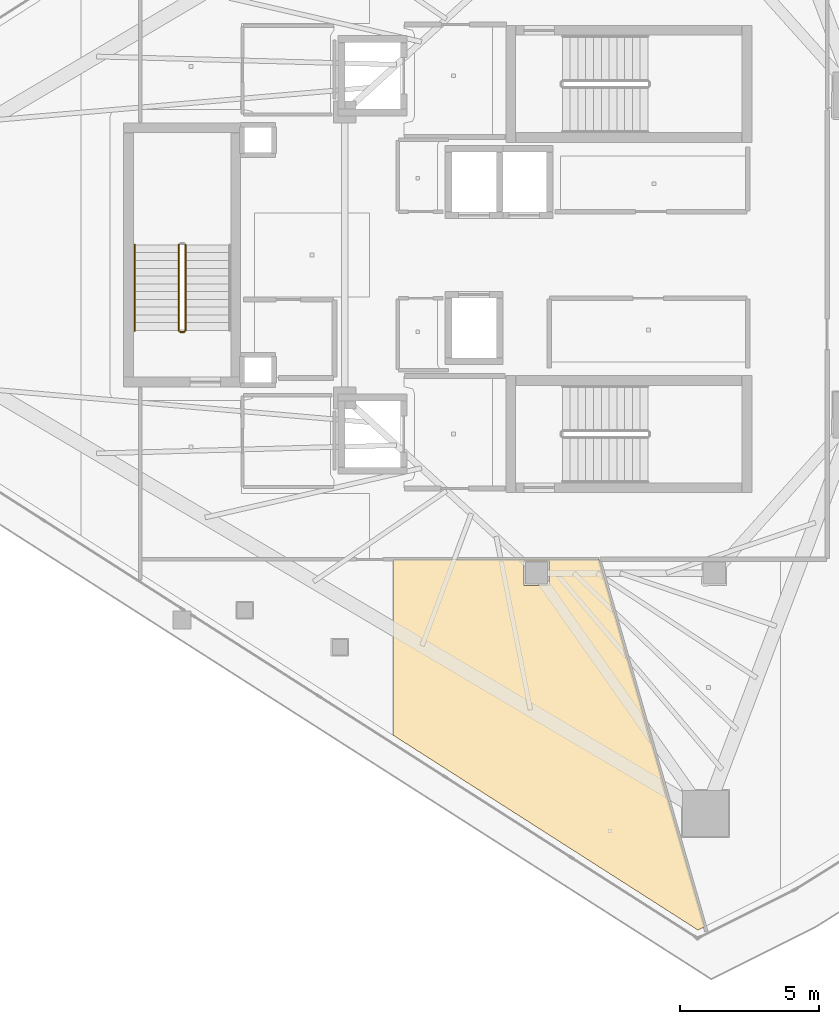
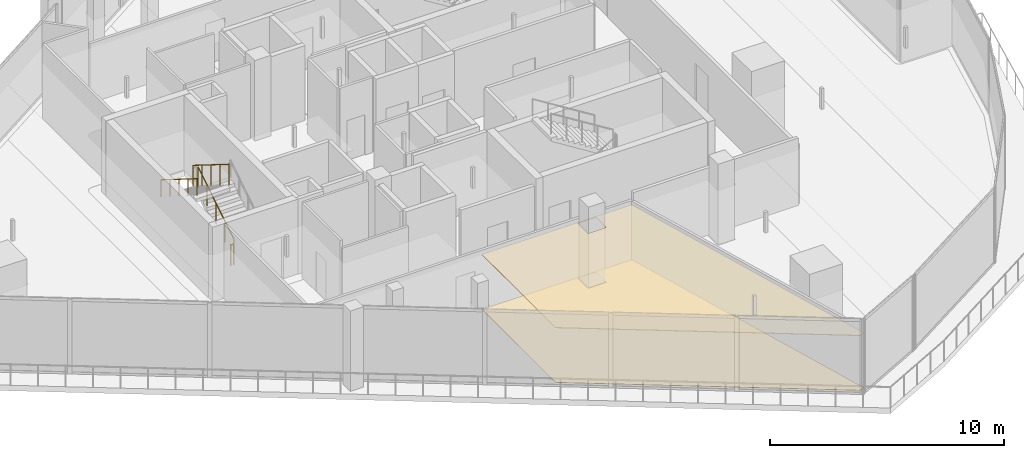
# One storey, part 26 of 31: 4 railings, 2 coverings.
"""IFC4 building model written with IfcOpenShell, lengths in metres."""

from ifc_helpers import new_model, si_unit, direction, frame, origin, origin_2d, place, context, subcontext, project, spatial, polyline, circle, outline, extrude, material, layer, layer_set, type_object, element, save


model = new_model("IFC4")

# Units and contexts
model_context = context("Model", 3, precision=1e-05, world=origin(), true_north=direction((0.0, 1.0)))
body_context = subcontext(model_context, "Body", "Model", "MODEL_VIEW")
ifc_project = project(units=[si_unit("LENGTHUNIT", "METRE"), si_unit("AREAUNIT", "SQUARE_METRE"), si_unit("VOLUMEUNIT", "CUBIC_METRE"), si_unit("PLANEANGLEUNIT", "RADIAN"), si_unit("MASSUNIT", "GRAM", prefix="KILO")], contexts=[model_context])

# Site, building, storey
site_placement = place(None, origin())
site = spatial("IfcSite", under=ifc_project, at=site_placement, CompositionType="ELEMENT")
building_placement = place(site_placement, origin())
building = spatial("IfcBuilding", under=site, at=building_placement, Name="Qorvath Tower", CompositionType="ELEMENT")
storey_placement = place(building_placement, frame((0.0, 0.0, 264.0)))
storey = spatial("IfcBuildingStorey", under=building, at=storey_placement, Name="L61", CompositionType="ELEMENT", Elevation=264.0)

# Coverings
ifc_material_1 = material(Name="Acoustic mineral fibre ceiling tile", Category="gypsum")
ifc_layer_1 = layer(ifc_material_1, 0.030029296875)
ifc_layer_set_1 = layer_set([ifc_layer_1], Name="COV-CEIL")
covering_type_1 = type_object("IfcCoveringType", Name="COV-CEIL", PredefinedType="CEILING", material=ifc_layer_set_1)
covering_1_placement = place(storey_placement, frame((0.0, 0.0, 2.85009765625)))
element("IfcCovering", 1, at=covering_1_placement, inside=storey, type_object=covering_type_1, Name="L61 Suspended Acoustic Ceiling 015", PredefinedType="CEILING", context=body_context, shape_type="SweptSolid", body=[
    extrude(outline(polyline([(-28.768310546875, -10.96240234375), (-28.768310546875, -17.281494140625), (-17.787109375, -24.300048828125), (-17.544189453125, -24.1787109375), (-21.348876953125, -10.962890625), (-28.768310546875, -10.96240234375)]), holes=[polyline([(-24.04248046875, -11.892333984375), (-24.04248046875, -11.007568359375), (-23.157470703125, -11.007568359375), (-23.157470703125, -11.892333984375), (-24.04248046875, -11.892333984375)])]), origin(), (0.0, 0.0, 1.0), 0.030029296875),
])
ifc_material_2 = material(Name="Low-VOC modular carpet tile", Category="textile")
ifc_layer_2 = layer(ifc_material_2, 0.014892578125)
ifc_layer_set_2 = layer_set([ifc_layer_2], Name="COV-FLOOR-CPT")
covering_type_2 = type_object("IfcCoveringType", Name="COV-FLOOR-CPT", PredefinedType="FLOORING", material=ifc_layer_set_2)
covering_2_placement = place(storey_placement, origin())
element("IfcCovering", 2, at=covering_2_placement, inside=storey, type_object=covering_type_2, Name="L61 Floor Finish 015", PredefinedType="FLOORING", context=body_context, shape_type="SweptSolid", body=[
    extrude(outline(polyline([(-28.768310546875, -10.96240234375), (-28.768310546875, -17.281494140625), (-17.787109375, -24.300048828125), (-17.544189453125, -24.1787109375), (-21.348876953125, -10.962890625), (-28.768310546875, -10.96240234375)]), holes=[polyline([(-24.04248046875, -11.892333984375), (-24.04248046875, -11.007568359375), (-23.157470703125, -11.007568359375), (-23.157470703125, -11.892333984375), (-24.04248046875, -11.892333984375)])]), origin(), (0.0, 0.0, 1.0), 0.014892578125),
])

# Railings
ifc_material_3 = material(Name="Painted galvanised steel", Category="steel")
railing_type_1 = type_object("IfcRailingType", Name="RL-STR-GRD", PredefinedType="GUARDRAIL", material=ifc_material_3)
railing_1_placement = place(storey_placement, frame((-36.22998046875, -2.719970703125, 0.175048828125)))
element("IfcRailing", 3, at=railing_1_placement, inside=storey, type_object=railing_type_1, Name="L61 TS3 stair guard 1", PredefinedType="GUARDRAIL", context=body_context, shape_type="SweptSolid", body=[
    extrude(circle(Radius=0.02392578125, at=origin_2d()), frame((0.0, 0.0, 1.076171875), z_axis=(0.0, 0.847998304005, 0.529998940003), x_axis=(-1.0, 0.0, 0.0)), (0.0, 0.0, 1.0), 3.632080078125),
    extrude(circle(Radius=0.02099609375, at=origin_2d()), origin(), (0.0, 0.0, 1.0), 1.052001953125),
    extrude(circle(Radius=0.02099609375, at=origin_2d()), frame((0.0, 0.77001953125, 0.481201171875)), (0.0, 0.0, 1.0), 1.052001953125),
    extrude(circle(Radius=0.02099609375, at=origin_2d()), frame((0.0, 1.5400390625, 0.96240234375)), (0.0, 0.0, 1.0), 1.052001953125),
    extrude(circle(Radius=0.02099609375, at=origin_2d()), frame((0.0, 2.31005859375, 1.44384765625)), (0.0, 0.0, 1.0), 1.052001953125),
    extrude(circle(Radius=0.02099609375, at=origin_2d()), frame((0.0, 3.080078125, 1.925048828125)), (0.0, 0.0, 1.0), 1.052001953125),
])
railing_2_placement = place(storey_placement, frame((-36.47998046875, 0.360107421875, 2.27490234375)))
element("IfcRailing", 4, at=railing_2_placement, inside=storey, type_object=railing_type_1, Name="L61 TS3 stair guard 3", PredefinedType="GUARDRAIL", context=body_context, shape_type="SweptSolid", body=[
    extrude(circle(Radius=0.02392578125, at=origin_2d()), frame((0.0, 0.0, 1.076171875), z_axis=(0.0, -0.847998304005, 0.529998940003), x_axis=(1.0, 0.0, 0.0)), (0.0, 0.0, 1.0), 3.632080078125),
    extrude(circle(Radius=0.02099609375, at=origin_2d()), origin(), (0.0, 0.0, 1.0), 1.052001953125),
    extrude(circle(Radius=0.02099609375, at=origin_2d()), frame((0.0, -0.77001953125, 0.481201171875)), (0.0, 0.0, 1.0), 1.052001953125),
    extrude(circle(Radius=0.02099609375, at=origin_2d()), frame((0.0, -1.5400390625, 0.96240234375)), (0.0, 0.0, 1.0), 1.052001953125),
    extrude(circle(Radius=0.02099609375, at=origin_2d()), frame((0.0, -2.31005859375, 1.44384765625)), (0.0, 0.0, 1.0), 1.052001953125),
    extrude(circle(Radius=0.02099609375, at=origin_2d()), frame((0.0, -3.080078125, 1.925048828125)), (0.0, 0.0, 1.0), 1.052001953125),
])
railing_3_placement = place(storey_placement, frame((-36.280029296875, -2.77001953125, 0.0)))
element("IfcRailing", 5, at=railing_3_placement, inside=storey, type_object=railing_type_1, Name="L61 TS3 stair guard 4", PredefinedType="GUARDRAIL", context=body_context, shape_type="SweptSolid", body=[
    extrude(circle(Radius=0.02392578125, at=origin_2d()), frame((0.0, 0.0, 1.076171875), z_axis=(-1.0, 0.0, 0.0), x_axis=(0.0, -1.0, 0.0)), (0.0, 0.0, 1.0), 0.14990234375),
    extrude(circle(Radius=0.02099609375, at=origin_2d()), origin(), (0.0, 0.0, 1.0), 1.052001953125),
    extrude(circle(Radius=0.02099609375, at=origin_2d()), frame((-0.14990234375, 0.0, 0.0)), (0.0, 0.0, 1.0), 1.052001953125),
])
ifc_material_4 = material(Name="Brushed stainless steel AISI 304", Category="steel")
railing_type_2 = type_object("IfcRailingType", Name="RL-STR-HND", PredefinedType="HANDRAIL", material=ifc_material_4)
railing_4_placement = place(storey_placement, frame((-38.06005859375, 0.360107421875, 2.27490234375)))
element("IfcRailing", 6, at=railing_4_placement, inside=storey, type_object=railing_type_2, Name="L61 TS3 stair handrail 2", PredefinedType="HANDRAIL", context=body_context, shape_type="SweptSolid", body=[
    extrude(circle(Radius=0.02392578125, at=origin_2d()), frame((0.0, 0.0, 0.8759765625), z_axis=(0.0, -0.847998304005, 0.529998940003), x_axis=(1.0, 0.0, 0.0)), (0.0, 0.0, 1.0), 3.632080078125),
    extrude(circle(Radius=0.02099609375, at=origin_2d()), origin(), (0.0, 0.0, 1.0), 0.851806640625),
    extrude(circle(Radius=0.02099609375, at=origin_2d()), frame((0.0, -0.77001953125, 0.481201171875)), (0.0, 0.0, 1.0), 0.851806640625),
    extrude(circle(Radius=0.02099609375, at=origin_2d()), frame((0.0, -1.5400390625, 0.96240234375)), (0.0, 0.0, 1.0), 0.851806640625),
    extrude(circle(Radius=0.02099609375, at=origin_2d()), frame((0.0, -2.31005859375, 1.44384765625)), (0.0, 0.0, 1.0), 0.851806640625),
    extrude(circle(Radius=0.02099609375, at=origin_2d()), frame((0.0, -3.080078125, 1.925048828125)), (0.0, 0.0, 1.0), 0.851806640625),
])

save(model, "model.ifc")
